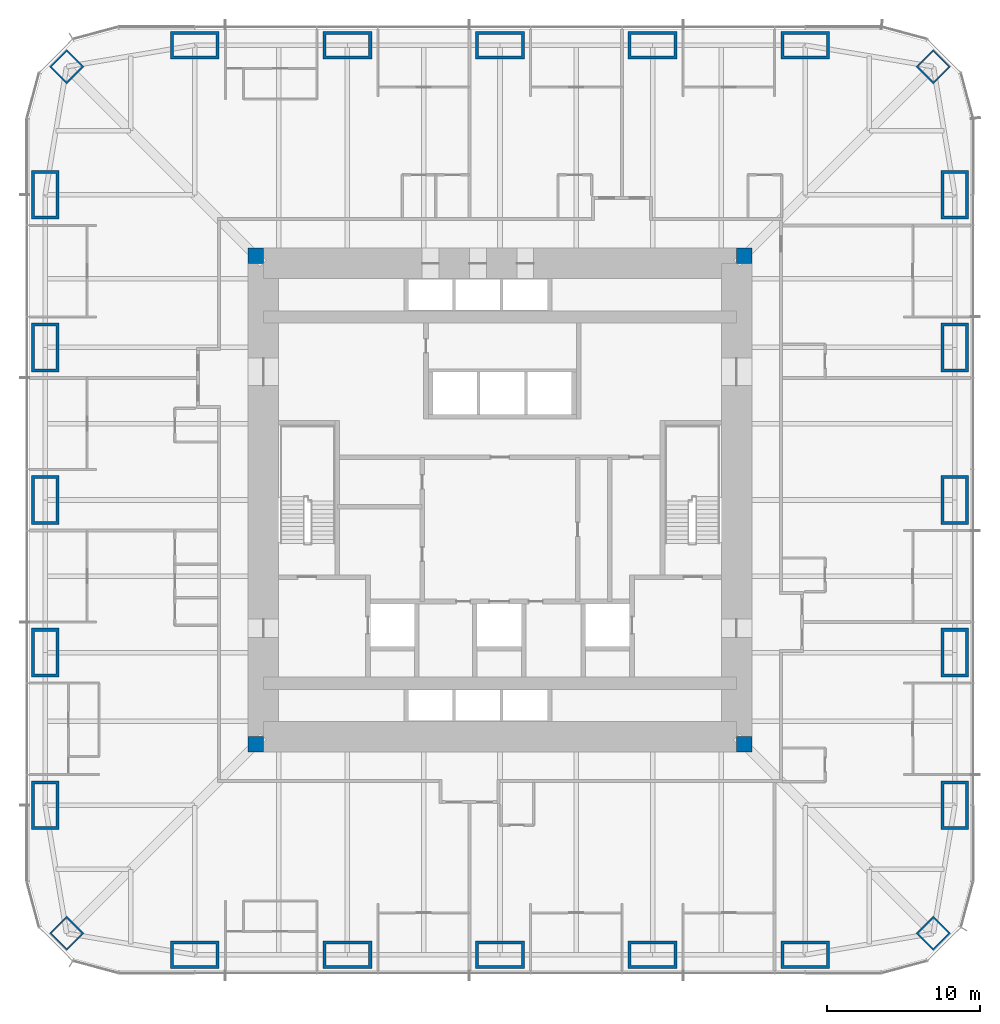
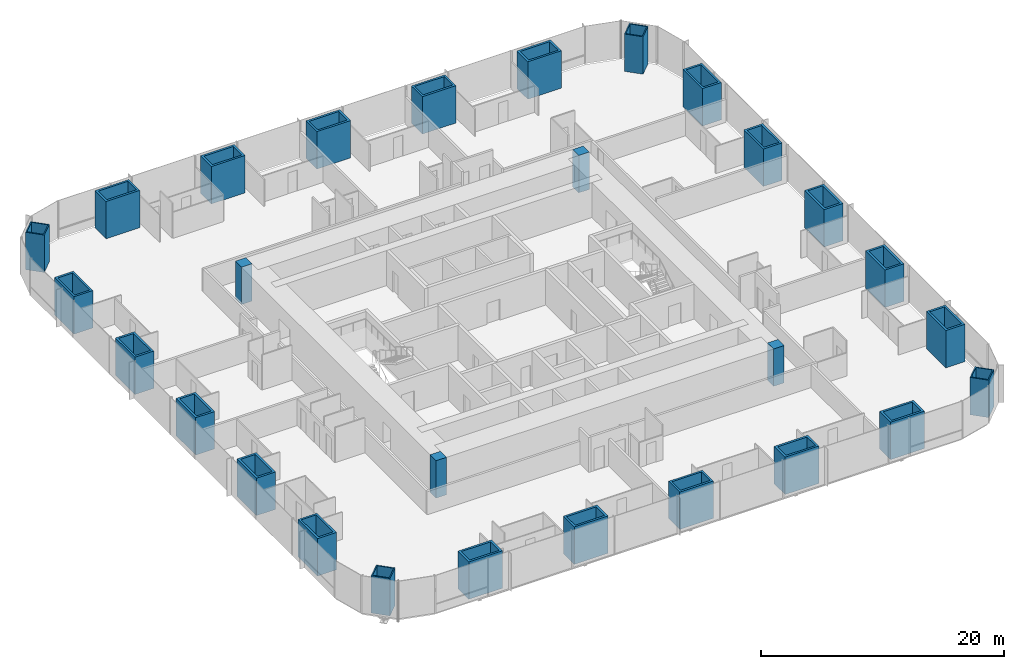
# One storey, part 1 of 17: 28 columns.
"""IFC4 building model written with IfcOpenShell, lengths in metres."""

from ifc_helpers import new_model, si_unit, direction, frame, origin, origin_2d, place, context, subcontext, project, spatial, rectangle, hollow_rectangle, extrude, material, material_profile, profile_set, type_object, element, save


model = new_model("IFC4")

# Units and contexts
model_context = context("Model", 3, precision=1e-05, world=origin(), true_north=direction((0.0, 1.0)))
body_context = subcontext(model_context, "Body", "Model", "MODEL_VIEW")
ifc_project = project(units=[si_unit("LENGTHUNIT", "METRE"), si_unit("AREAUNIT", "SQUARE_METRE"), si_unit("VOLUMEUNIT", "CUBIC_METRE"), si_unit("PLANEANGLEUNIT", "RADIAN"), si_unit("MASSUNIT", "GRAM", prefix="KILO")], contexts=[model_context])

# Site, building, storey
site_placement = place(None, origin())
site = spatial("IfcSite", under=ifc_project, at=site_placement, CompositionType="ELEMENT")
building_placement = place(site_placement, origin())
building = spatial("IfcBuilding", under=site, at=building_placement, Name="Khuree Lantern Residences", CompositionType="ELEMENT")
storey_placement = place(building_placement, frame((0.0, 0.0, 88.5)))
storey = spatial("IfcBuildingStorey", under=building, at=storey_placement, Name="L22", CompositionType="ELEMENT", Elevation=88.5)

# Columns
ifc_material_1 = material(Name="Steel S355 CFT welded box", Category="steel")
ifc_material_profile_1 = material_profile(ifc_material_1, hollow_rectangle(XDim=1.60009765625, YDim=1.60009765625, WallThickness=0.10009765625, at=origin_2d()), Name="WELDED BOX 1600X1600X100")
ifc_profile_set_1 = profile_set([ifc_material_profile_1], Name="Steel S355 CFT welded box")
column_type_1 = type_object("IfcColumnType", Name="CC1600 PERIMETER CORNER MEGA COLUMN WELDED BOX 1600X1600X100", PredefinedType="COLUMN", material=ifc_profile_set_1)
for number, where, z_axis, x_axis, name in (
    (1, (28.39404296875, 28.39404296875, 0.0), (0.0, 0.0, 1.0), (0.707106781187, -0.707106781187, 0.0), "Perimeter column NE"),
    (2, (28.39404296875, -28.39404296875, 0.0), (0.0, 0.0, 1.0), (0.707106781187, 0.707106781187, 0.0), "Perimeter column SE"),
    (3, (-28.39404296875, -28.39404296875, 0.0), (0.0, 0.0, 1.0), (0.707106781187, -0.707106781187, 0.0), "Perimeter column SW"),
    (4, (-28.39404296875, 28.39404296875, 0.0), (0.0, 0.0, 1.0), (0.707106781187, 0.707106781187, 0.0), "Perimeter column NW"),
):
    element("IfcColumn", number, at=place(storey_placement, frame(where, z_axis=z_axis, x_axis=x_axis)), inside=storey, type_object=column_type_1, Name=name, PredefinedType="COLUMN", context=body_context, shape_type="SweptSolid", body=[
        extrude(hollow_rectangle(XDim=1.60009765625, YDim=1.60009765625, WallThickness=0.10009765625, at=origin_2d()), origin(), (0.0, 0.0, 1.0), 3.75),
    ])
ifc_material_2 = material(Name="Concrete C70/85", Category="concrete")
ifc_material_profile_2 = material_profile(ifc_material_2, rectangle(XDim=1.0, YDim=1.0, at=origin_2d()), Name="RC 1000X1000")
ifc_profile_set_2 = profile_set([ifc_material_profile_2], Name="Concrete C70/85")
column_type_2 = type_object("IfcColumnType", Name="CP1000-C70 CORE CORNER PIER C70 RC 1000X1000", PredefinedType="COLUMN", material=ifc_profile_set_2)
for number, where, z_axis, x_axis, name in (
    (5, (16.0, 16.0, -0.25), (0.0, 0.0, 1.0), (1.0, 0.0, 0.0), "Core corner pier NE"),
    (6, (-16.0, 16.0, -0.25), (0.0, 0.0, 1.0), (1.0, 0.0, 0.0), "Core corner pier NW"),
    (7, (-16.0, -16.0, -0.25), (0.0, 0.0, 1.0), (1.0, 0.0, 0.0), "Core corner pier SW"),
    (8, (16.0, -16.0, -0.25), (0.0, 0.0, 1.0), (1.0, 0.0, 0.0), "Core corner pier SE"),
):
    element("IfcColumn", number, at=place(storey_placement, frame(where, z_axis=z_axis, x_axis=x_axis)), inside=storey, type_object=column_type_2, Name=name, PredefinedType="COLUMN", context=body_context, shape_type="SweptSolid", body=[
        extrude(rectangle(XDim=1.0, YDim=1.0, at=origin_2d()), origin(), (0.0, 0.0, 1.0), 3.75),
    ])
ifc_material_profile_3 = material_profile(ifc_material_1, hollow_rectangle(XDim=3.199951171875, YDim=1.800048828125, WallThickness=0.199951171875, at=origin_2d()), Name="WELDED BOX 3200X1800X200")
ifc_profile_set_3 = profile_set([ifc_material_profile_3], Name="Steel S355 CFT welded box")
column_type_3 = type_object("IfcColumnType", Name="SC1 PERIMETER MEGA COLUMN WELDED BOX 3200X1800X200", PredefinedType="COLUMN", material=ifc_profile_set_3)
for number, where, z_axis, x_axis, name in (
    (9, (-20.0, 29.800048828125, 0.0), (0.0, 0.0, 1.0), (1.0, 0.0, 0.0), "Perimeter column N1"),
    (10, (-10.0, 29.800048828125, 0.0), (0.0, 0.0, 1.0), (1.0, 0.0, 0.0), "Perimeter column N2"),
    (11, (0.0, 29.800048828125, 0.0), (0.0, 0.0, 1.0), (1.0, 0.0, 0.0), "Perimeter column N3"),
    (12, (10.0, 29.800048828125, 0.0), (0.0, 0.0, 1.0), (1.0, 0.0, 0.0), "Perimeter column N4"),
    (13, (20.0, 29.800048828125, 0.0), (0.0, 0.0, 1.0), (1.0, 0.0, 0.0), "Perimeter column N5"),
    (14, (29.800048828125, 20.0, 0.0), (0.0, 0.0, 1.0), (0.0, 1.0, 0.0), "Perimeter column E1"),
    (15, (29.800048828125, 10.0, 0.0), (0.0, 0.0, 1.0), (0.0, 1.0, 0.0), "Perimeter column E2"),
    (16, (29.800048828125, 0.0, 0.0), (0.0, 0.0, 1.0), (0.0, 1.0, 0.0), "Perimeter column E3"),
    (17, (29.800048828125, -10.0, 0.0), (0.0, 0.0, 1.0), (0.0, 1.0, 0.0), "Perimeter column E4"),
    (18, (29.800048828125, -20.0, 0.0), (0.0, 0.0, 1.0), (0.0, 1.0, 0.0), "Perimeter column E5"),
    (19, (20.0, -29.800048828125, 0.0), (0.0, 0.0, 1.0), (1.0, 0.0, 0.0), "Perimeter column S1"),
    (20, (10.0, -29.800048828125, 0.0), (0.0, 0.0, 1.0), (1.0, 0.0, 0.0), "Perimeter column S2"),
    (21, (0.0, -29.800048828125, 0.0), (0.0, 0.0, 1.0), (1.0, 0.0, 0.0), "Perimeter column S3"),
    (22, (-10.0, -29.800048828125, 0.0), (0.0, 0.0, 1.0), (1.0, 0.0, 0.0), "Perimeter column S4"),
    (23, (-20.0, -29.800048828125, 0.0), (0.0, 0.0, 1.0), (1.0, 0.0, 0.0), "Perimeter column S5"),
    (24, (-29.800048828125, -20.0, 0.0), (0.0, 0.0, 1.0), (0.0, 1.0, 0.0), "Perimeter column W1"),
    (25, (-29.800048828125, -10.0, 0.0), (0.0, 0.0, 1.0), (0.0, 1.0, 0.0), "Perimeter column W2"),
    (26, (-29.800048828125, 0.0, 0.0), (0.0, 0.0, 1.0), (0.0, 1.0, 0.0), "Perimeter column W3"),
    (27, (-29.800048828125, 10.0, 0.0), (0.0, 0.0, 1.0), (0.0, 1.0, 0.0), "Perimeter column W4"),
    (28, (-29.800048828125, 20.0, 0.0), (0.0, 0.0, 1.0), (0.0, 1.0, 0.0), "Perimeter column W5"),
):
    element("IfcColumn", number, at=place(storey_placement, frame(where, z_axis=z_axis, x_axis=x_axis)), inside=storey, type_object=column_type_3, Name=name, PredefinedType="COLUMN", context=body_context, shape_type="SweptSolid", body=[
        extrude(hollow_rectangle(XDim=3.199951171875, YDim=1.800048828125, WallThickness=0.199951171875, at=origin_2d()), origin(), (0.0, 0.0, 1.0), 3.75),
    ])

save(model, "model.ifc")
